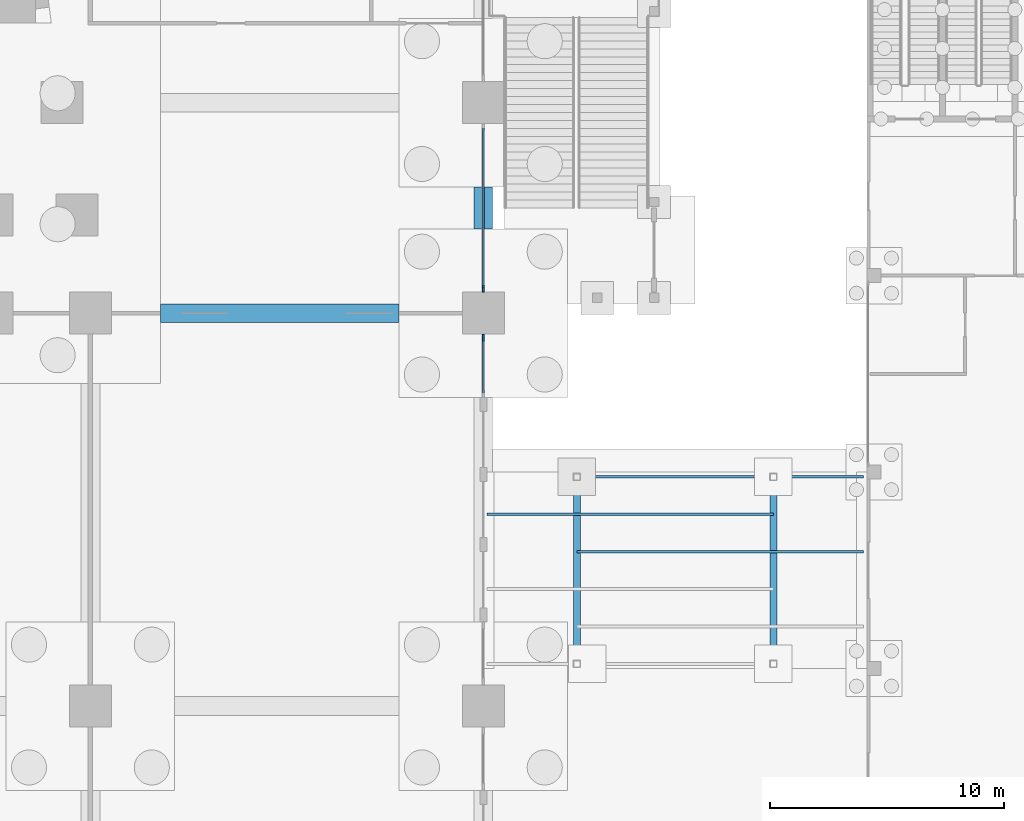
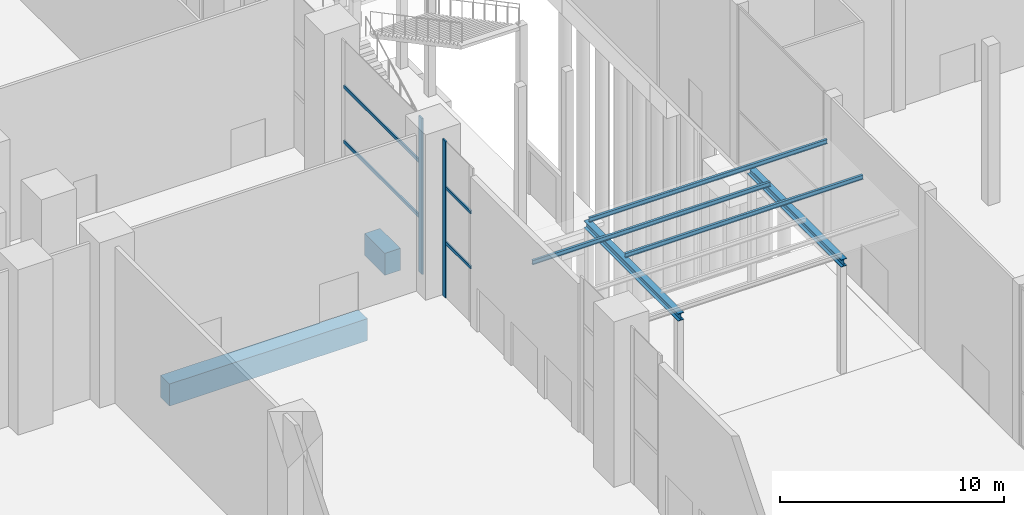
# One storey, part 22 of 72: 7 beams, 6 members, 2 elements without a shape of their own.
"""IFC4 building model written with IfcOpenShell, lengths in metres."""

from ifc_helpers import new_model, si_unit, direction, frame, origin, origin_2d, place, context, subcontext, project, spatial, rectangle, i_section, extrude, material, material_profile, profile_set, type_object, element, aggregate, save


model = new_model("IFC4")

# Units and contexts
model_context = context("Model", 3, precision=1e-05, world=origin(), true_north=direction((0.0, 1.0)))
body_context = subcontext(model_context, "Body", "Model", "MODEL_VIEW")
ifc_project = project(units=[si_unit("LENGTHUNIT", "METRE"), si_unit("AREAUNIT", "SQUARE_METRE"), si_unit("VOLUMEUNIT", "CUBIC_METRE"), si_unit("PLANEANGLEUNIT", "RADIAN"), si_unit("MASSUNIT", "GRAM", prefix="KILO")], contexts=[model_context])

# Site, building, storey
site_placement = place(None, origin())
site = spatial("IfcSite", under=ifc_project, at=site_placement, CompositionType="ELEMENT")
building_placement = place(site_placement, origin())
building = spatial("IfcBuilding", under=site, at=building_placement, Name="Candeia Pilgrim Tower and Theatre", CompositionType="ELEMENT")
storey_placement = place(building_placement, origin())
storey = spatial("IfcBuildingStorey", under=building, at=storey_placement, Name="L00", CompositionType="ELEMENT", Elevation=0.0)

# Beams
ifc_material_1 = material(Name="Steel S355", Category="steel")
ifc_material_profile_1 = material_profile(ifc_material_1, i_section(OverallWidth=0.1201171875, OverallDepth=0.239990234375, WebThickness=0.006103515625, FlangeThickness=0.009765625, at=origin_2d()))
ifc_profile_set_1 = profile_set([ifc_material_profile_1], Name="Steel S355")
beam_type_1 = type_object("IfcBeamType", Name="Arcade purlin IPE 240", PredefinedType="BEAM", material=ifc_profile_set_1)
for number, where, z_axis, x_axis, name in (
    (1, (163.60009765625, 87.800048828125, 6.3798828125), (1.0, 0.0, 0.0), (0.0, 1.0, 0.0), "Arcade purlin 4"),
    (2, (159.75, 89.39990234375, 6.3798828125), (1.0, 0.0, 0.0), (0.0, 1.0, 0.0), "Arcade purlin 5"),
    (3, (163.60009765625, 91.0, 6.3798828125), (1.0, 0.0, 0.0), (0.0, 1.0, 0.0), "Arcade purlin 6"),
):
    element("IfcBeam", number, at=place(storey_placement, frame(where, z_axis=z_axis, x_axis=x_axis)), inside=storey, type_object=beam_type_1, Name=name, PredefinedType="BEAM", context=body_context, shape_type="SweptSolid", body=[
        extrude(i_section(OverallWidth=0.1201171875, OverallDepth=0.239990234375, WebThickness=0.006103515625, FlangeThickness=0.009765625, at=origin_2d()), origin(), (0.0, 0.0, 1.0), 12.25),
    ])
ifc_material_profile_2 = material_profile(ifc_material_1, i_section(OverallWidth=0.300048828125, OverallDepth=0.39990234375, WebThickness=0.013427734375, FlangeThickness=0.02392578125, at=origin_2d()))
ifc_profile_set_2 = profile_set([ifc_material_profile_2], Name="Steel S355")
beam_type_2 = type_object("IfcBeamType", Name="Arcade roof beam HEB 400", PredefinedType="BEAM", material=ifc_profile_set_2)
for number, where, z_axis, x_axis, name in (
    (4, (163.60009765625, 82.800048828125, 6.06005859375), (0.0, 1.0, 0.0), (-1.0, 0.0, 0.0), "Arcade roof beam 1"),
    (5, (172.0, 82.800048828125, 6.06005859375), (0.0, 1.0, 0.0), (-1.0, 0.0, 0.0), "Arcade roof beam 2"),
):
    element("IfcBeam", number, at=place(storey_placement, frame(where, z_axis=z_axis, x_axis=x_axis)), inside=storey, type_object=beam_type_2, Name=name, PredefinedType="BEAM", context=body_context, shape_type="SweptSolid", body=[
        extrude(i_section(OverallWidth=0.300048828125, OverallDepth=0.39990234375, WebThickness=0.013427734375, FlangeThickness=0.02392578125, at=origin_2d()), origin(), (0.0, 0.0, 1.0), 8.39990234375),
    ])

# Curtain wall, member
ifc_material_2 = material(Name="Aluminium framed podium glazing", Category="aluminium")
curtain_wall_type = type_object("IfcCurtainWallType", Name="CW-P curtain wall", PredefinedType="NOTDEFINED", material=ifc_material_2)
curtain_wall_1_placement = place(storey_placement, origin())
curtain_wall_1 = element("IfcCurtainWall", 6, at=curtain_wall_1_placement, inside=storey, type_object=curtain_wall_type, Name="Curtain wall CW-P L00.240", PredefinedType="NOTDEFINED")
ifc_material_3 = material(Name="Anodised aluminium", Category="aluminium")
ifc_material_profile_3 = material_profile(ifc_material_3, rectangle(XDim=0.080078125, YDim=0.300048828125, at=origin_2d()))
ifc_profile_set_3 = profile_set([ifc_material_profile_3], Name="Anodised aluminium")
member_type_1 = type_object("IfcMemberType", Name="CW-P mullion 80x300", PredefinedType="MULLION", material=ifc_profile_set_3)
member_1_placement = place(storey_placement, frame((159.60009765625, 99.050048828125, 0.0), z_axis=(0.0, 0.0, 1.0), x_axis=(1.0, 0.0, 0.0)))
member_1 = element("IfcMember", 7, at=member_1_placement, type_object=member_type_1, Name="CW-P mullion 2", PredefinedType="MULLION", context=body_context, shape_type="SweptSolid", body=[
    extrude(rectangle(XDim=0.080078125, YDim=0.300048828125, at=origin_2d()), origin(), (0.0, 0.0, 1.0), 8.5),
])

curtain_wall_2_placement = place(storey_placement, origin())
curtain_wall_2 = element("IfcCurtainWall", 8, at=curtain_wall_2_placement, inside=storey, type_object=curtain_wall_type, Name="Curtain wall CW-P L00.250", PredefinedType="NOTDEFINED")
member_2_placement = place(storey_placement, frame((159.60009765625, 96.949951171875, 0.0), z_axis=(0.0, 0.0, 1.0), x_axis=(1.0, 0.0, 0.0)))
member_2 = element("IfcMember", 9, at=member_2_placement, type_object=member_type_1, Name="CW-P mullion 1", PredefinedType="MULLION", context=body_context, shape_type="SweptSolid", body=[
    extrude(rectangle(XDim=0.080078125, YDim=0.300048828125, at=origin_2d()), origin(), (0.0, 0.0, 1.0), 8.5),
])

# Member
ifc_material_profile_4 = material_profile(ifc_material_3, rectangle(XDim=0.080078125, YDim=0.179931640625, at=origin_2d()))
ifc_profile_set_4 = profile_set([ifc_material_profile_4], Name="Anodised aluminium")
member_type_2 = type_object("IfcMemberType", Name="CW-P transom 80x180", PredefinedType="USERDEFINED", material=ifc_profile_set_4)
member_3_placement = place(storey_placement, frame((159.60009765625, 105.909912109375, 3.0), z_axis=(0.0, -1.0, 0.0), x_axis=(1.0, 0.0, 0.0)))
member_3 = element("IfcMember", 10, at=member_3_placement, type_object=member_type_2, Name="CW-P transom 1.1", ObjectType="TRANSOM", PredefinedType="USERDEFINED", context=body_context, shape_type="SweptSolid", body=[
    extrude(rectangle(XDim=0.080078125, YDim=0.179931640625, at=origin_2d()), origin(), (0.0, 0.0, 1.0), 6.81982421875),
])

member_4_placement = place(storey_placement, frame((159.60009765625, 105.909912109375, 6.0), z_axis=(0.0, -1.0, 0.0), x_axis=(1.0, 0.0, 0.0)))
member_4 = element("IfcMember", 11, at=member_4_placement, type_object=member_type_2, Name="CW-P transom 1.2", ObjectType="TRANSOM", PredefinedType="USERDEFINED", context=body_context, shape_type="SweptSolid", body=[
    extrude(rectangle(XDim=0.080078125, YDim=0.179931640625, at=origin_2d()), origin(), (0.0, 0.0, 1.0), 6.81982421875),
])

aggregate(curtain_wall_1, [member_1, member_3, member_4])

member_5_placement = place(storey_placement, frame((159.60009765625, 96.909912109375, 3.0), z_axis=(0.0, -1.0, 0.0), x_axis=(1.0, 0.0, 0.0)))
member_5 = element("IfcMember", 12, at=member_5_placement, type_object=member_type_2, Name="CW-P transom 1.1", ObjectType="TRANSOM", PredefinedType="USERDEFINED", context=body_context, shape_type="SweptSolid", body=[
    extrude(rectangle(XDim=0.080078125, YDim=0.179931640625, at=origin_2d()), origin(), (0.0, 0.0, 1.0), 2.31982421875),
])

member_6_placement = place(storey_placement, frame((159.60009765625, 96.909912109375, 6.0), z_axis=(0.0, -1.0, 0.0), x_axis=(1.0, 0.0, 0.0)))
member_6 = element("IfcMember", 13, at=member_6_placement, type_object=member_type_2, Name="CW-P transom 1.2", ObjectType="TRANSOM", PredefinedType="USERDEFINED", context=body_context, shape_type="SweptSolid", body=[
    extrude(rectangle(XDim=0.080078125, YDim=0.179931640625, at=origin_2d()), origin(), (0.0, 0.0, 1.0), 2.31982421875),
])

aggregate(curtain_wall_2, [member_2, member_5, member_6])

# Beams
ifc_material_4 = material(Name="Concrete C40/50", Category="concrete")
ifc_material_profile_5 = material_profile(ifc_material_4, rectangle(XDim=0.800048828125, YDim=1.199951171875, at=origin_2d()))
ifc_profile_set_5 = profile_set([ifc_material_profile_5], Name="Concrete C40/50")
beam_type_3 = type_object("IfcBeamType", Name="RC 800x1200 C40/50", PredefinedType="BEAM", material=ifc_profile_set_5)
beam_1_placement = place(storey_placement, frame((159.60009765625, 101.60009765625, -0.949951171875), z_axis=(0.0, 1.0, 0.0), x_axis=(-1.0, 0.0, 0.0)))
element("IfcBeam", 14, at=beam_1_placement, inside=storey, type_object=beam_type_3, Name="Ground beam 015", PredefinedType="BEAM", context=body_context, shape_type="SweptSolid", body=[
    extrude(rectangle(XDim=0.800048828125, YDim=1.199951171875, at=origin_2d()), origin(), (0.0, 0.0, 1.0), 1.7998046875),
])
beam_2_placement = place(storey_placement, frame((156.0, 98.0, -0.949951171875), z_axis=(-1.0, 0.0, 0.0), x_axis=(0.0, -1.0, 0.0)))
element("IfcBeam", 15, at=beam_2_placement, inside=storey, type_object=beam_type_3, Name="Ground beam 048", PredefinedType="BEAM", context=body_context, shape_type="SweptSolid", body=[
    extrude(rectangle(XDim=0.800048828125, YDim=1.199951171875, at=origin_2d()), origin(), (0.0, 0.0, 1.0), 10.199951171875),
])

save(model, "model.ifc")
